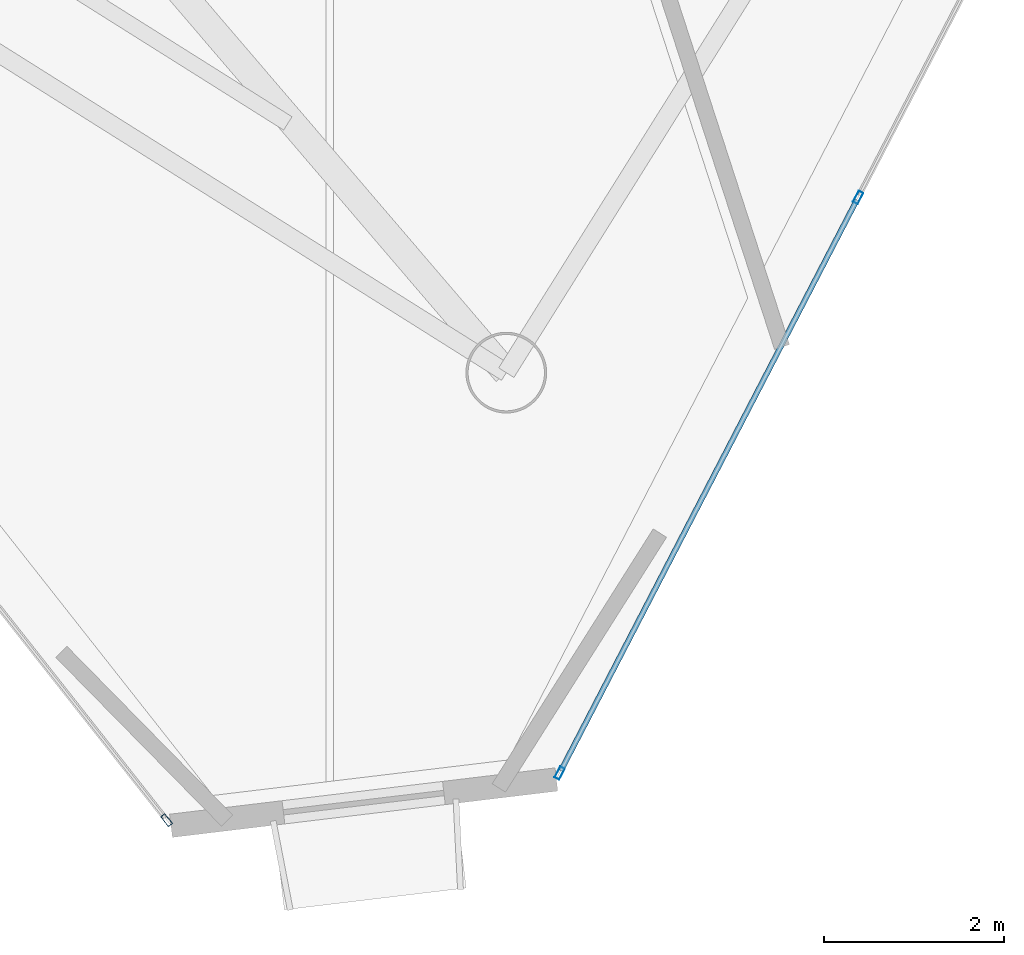
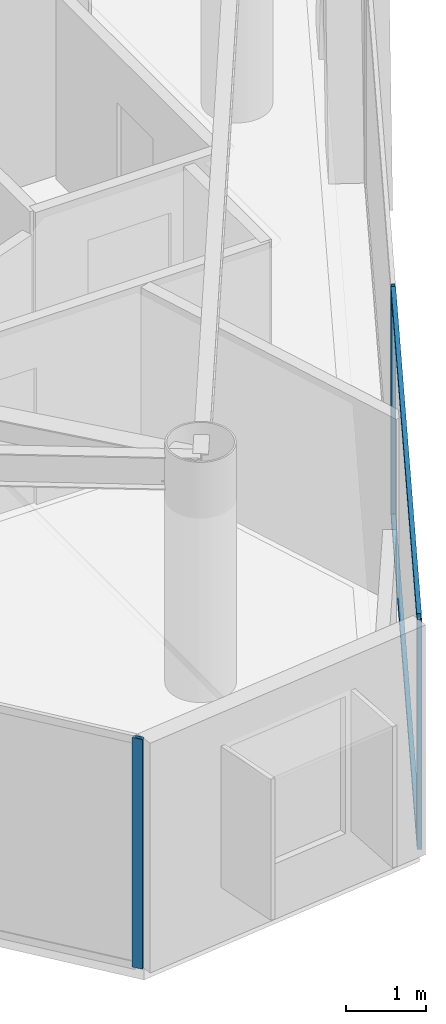
# One storey, part 5 of 21: 5 members, 2 elements without a shape of their own.
"""IFC4 building model written with IfcOpenShell, lengths in metres."""

from ifc_helpers import new_model, si_unit, direction, frame, origin, origin_2d, place, context, subcontext, project, spatial, hollow_rectangle, extrude, material, layer, layer_set, material_profile, profile_set, type_object, element, aggregate, save


model = new_model("IFC4")

# Units and contexts
model_context = context("Model", 3, precision=1e-05, world=origin(), true_north=direction((0.0, 1.0)))
body_context = subcontext(model_context, "Body", "Model", "MODEL_VIEW")
ifc_project = project(units=[si_unit("LENGTHUNIT", "METRE"), si_unit("AREAUNIT", "SQUARE_METRE"), si_unit("VOLUMEUNIT", "CUBIC_METRE"), si_unit("PLANEANGLEUNIT", "RADIAN"), si_unit("MASSUNIT", "GRAM", prefix="KILO")], contexts=[model_context])

# Site, building, storey
site_placement = place(None, origin())
site = spatial("IfcSite", under=ifc_project, at=site_placement, CompositionType="ELEMENT")
building_placement = place(site_placement, origin())
building = spatial("IfcBuilding", under=site, at=building_placement, Name="Qianvela Tower", CompositionType="ELEMENT")
storey_placement = place(building_placement, frame((0.0, 0.0, 310.199951171875)))
storey = spatial("IfcBuildingStorey", under=building, at=storey_placement, Name="L80", CompositionType="ELEMENT", Elevation=310.199951171875)

# Curtain wall, member
ifc_material_1 = material(Name="Anodised Architectural Aluminium and Low-E Glass", Category="aluminium")
ifc_layer = layer(ifc_material_1, 0.14990234375)
ifc_layer_set = layer_set([ifc_layer], Name="Anodised Architectural Aluminium and Low-E Glass")
curtain_wall_type = type_object("IfcCurtainWallType", Name="CW-COLIV-Z78", PredefinedType="USERDEFINED", material=ifc_layer_set)
curtain_wall_1_placement = place(storey_placement, origin())
curtain_wall_1 = element("IfcCurtainWall", 1, at=curtain_wall_1_placement, inside=storey, type_object=curtain_wall_type, Name="L80 CW-COLIV-Z78 Curtain Wall 04C", ObjectType="CURTAIN_WALL_SYSTEM", PredefinedType="USERDEFINED")
ifc_material_2 = material(Name="Anodised Architectural Aluminium 6063-T6", Category="aluminium")
ifc_material_profile_1 = material_profile(ifc_material_2, hollow_rectangle(XDim=0.06005859375, YDim=0.139892578125, WallThickness=0.00439453125, at=origin_2d()), Name="ALU-MULL-60x140")
ifc_profile_set_1 = profile_set([ifc_material_profile_1], Name="Anodised Architectural Aluminium 6063-T6")
member_type_1 = type_object("IfcMemberType", Name="CW-COLIV-Z78-MULL", PredefinedType="MULLION", material=ifc_profile_set_1)
member_1_placement = place(storey_placement, frame((35.313232421875, 6.604736328125, 0.0), z_axis=(0.0, 0.0, 1.0), x_axis=(0.785420015609, 0.618963164559, 0.0)))
member_1 = element("IfcMember", 2, at=member_1_placement, type_object=member_type_1, Name="CW-6 mullion 3", PredefinedType="MULLION", context=body_context, shape_type="SweptSolid", body=[
    extrude(hollow_rectangle(XDim=0.06005859375, YDim=0.139892578125, WallThickness=0.00439453125, at=origin_2d()), origin(), (0.0, 0.0, 1.0), 3.52001953125),
])
aggregate(curtain_wall_1, [member_1])

# Curtain wall, members
curtain_wall_2_placement = place(storey_placement, origin())
curtain_wall_2 = element("IfcCurtainWall", 3, at=curtain_wall_2_placement, inside=storey, type_object=curtain_wall_type, Name="L80 CW-COLIV-Z78 Curtain Wall 06A", ObjectType="CURTAIN_WALL_SYSTEM", PredefinedType="USERDEFINED")
member_2_placement = place(storey_placement, frame((39.6904296875, 7.128662109375, 0.0), z_axis=(0.0, 0.0, 1.0), x_axis=(-0.887758184727, 0.460310118779, 0.0)))
member_2 = element("IfcMember", 4, at=member_2_placement, type_object=member_type_1, Name="CW-6 mullion 1", PredefinedType="MULLION", context=body_context, shape_type="SweptSolid", body=[
    extrude(hollow_rectangle(XDim=0.06005859375, YDim=0.139892578125, WallThickness=0.00439453125, at=origin_2d()), origin(), (0.0, 0.0, 1.0), 3.52001953125),
])
member_3_placement = place(storey_placement, frame((43.013916015625, 13.538330078125, 0.0), z_axis=(0.0, 0.0, 1.0), x_axis=(-0.887758184727, 0.460310118779, 0.0)))
member_3 = element("IfcMember", 5, at=member_3_placement, type_object=member_type_1, Name="CW-6 mullion 2", PredefinedType="MULLION", context=body_context, shape_type="SweptSolid", body=[
    extrude(hollow_rectangle(XDim=0.06005859375, YDim=0.139892578125, WallThickness=0.00439453125, at=origin_2d()), origin(), (0.0, 0.0, 1.0), 3.52001953125),
])
ifc_material_3 = material(Name="Anodised Architectural Aluminium 6063-T6", Category="aluminium")
ifc_material_profile_2 = material_profile(ifc_material_3, hollow_rectangle(XDim=0.06005859375, YDim=0.114990234375, WallThickness=0.00390625, at=origin_2d()), Name="ALU-TRAN-60x115")
ifc_profile_set_2 = profile_set([ifc_material_profile_2], Name="Anodised Architectural Aluminium 6063-T6")
member_type_2 = type_object("IfcMemberType", Name="CW-COLIV-Z78-TRAN", PredefinedType="USERDEFINED", material=ifc_profile_set_2)
member_4_placement = place(storey_placement, frame((39.704345703125, 7.1552734375, 0.030029296875), z_axis=(0.460313183363, 0.887756595707, 0.0), x_axis=(-0.887756595707, 0.460313183363, 0.0)))
member_4 = element("IfcMember", 6, at=member_4_placement, type_object=member_type_2, Name="CW-6 transom 1.1", ObjectType="TRANSOM", PredefinedType="USERDEFINED", context=body_context, shape_type="SweptSolid", body=[
    extrude(hollow_rectangle(XDim=0.06005859375, YDim=0.114990234375, WallThickness=0.00390625, at=origin_2d()), origin(), (0.0, 0.0, 1.0), 7.16015625),
])
member_5_placement = place(storey_placement, frame((39.704345703125, 7.1552734375, 3.489990234375), z_axis=(0.460313183363, 0.887756595707, 0.0), x_axis=(-0.887756595707, 0.460313183363, 0.0)))
member_5 = element("IfcMember", 7, at=member_5_placement, type_object=member_type_2, Name="CW-6 transom 1.2", ObjectType="TRANSOM", PredefinedType="USERDEFINED", context=body_context, shape_type="SweptSolid", body=[
    extrude(hollow_rectangle(XDim=0.06005859375, YDim=0.114990234375, WallThickness=0.00390625, at=origin_2d()), origin(), (0.0, 0.0, 1.0), 7.16015625),
])
aggregate(curtain_wall_2, [member_2, member_3, member_4, member_5])

save(model, "model.ifc")
